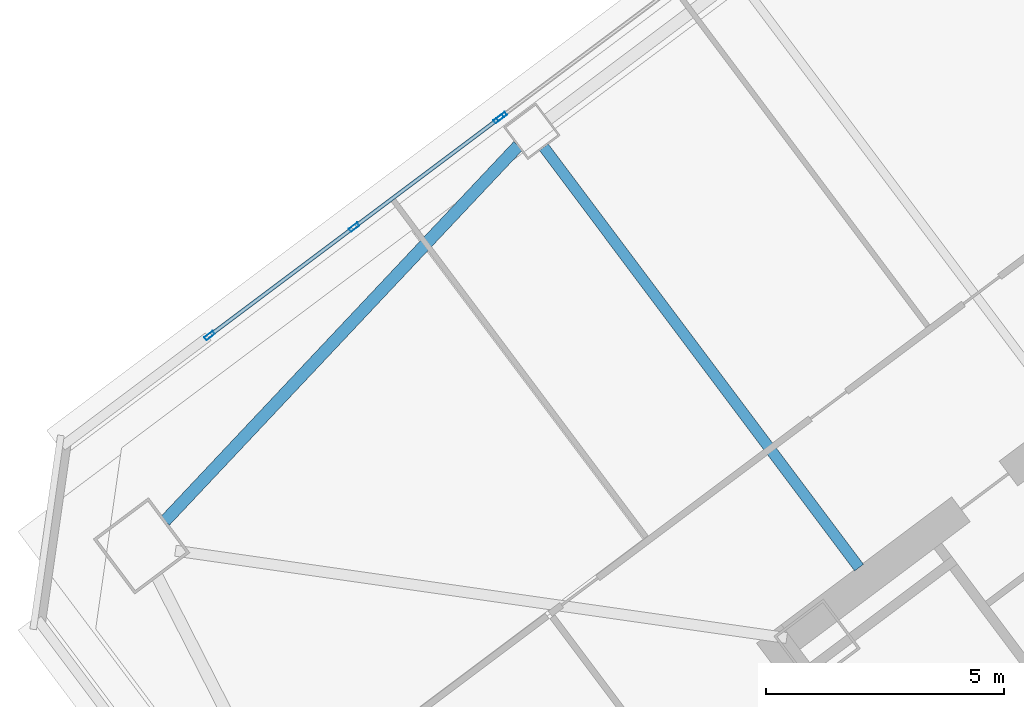
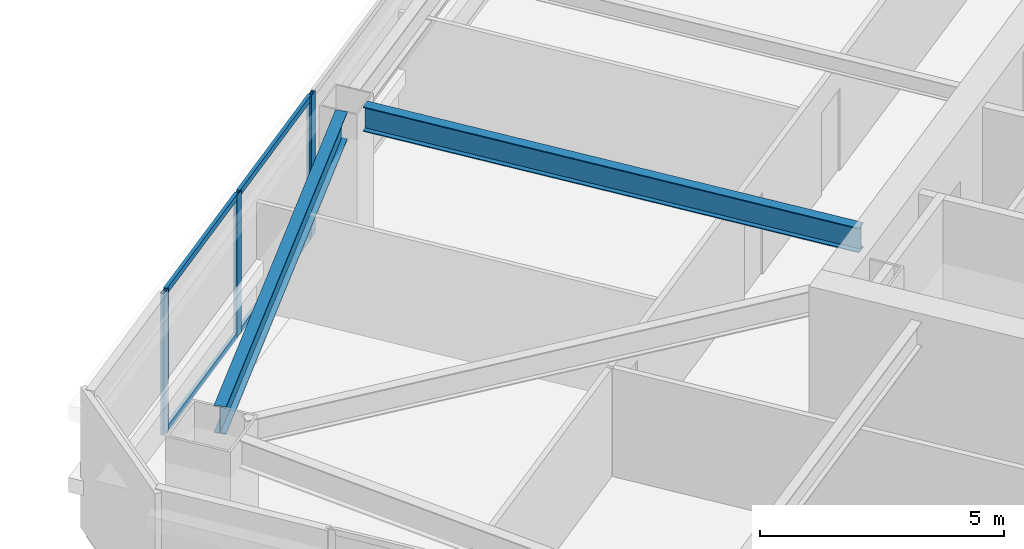
# One storey, part 29 of 49: 8 members, 2 beams, 2 elements without a shape of their own.
"""IFC4 building model written with IfcOpenShell, lengths in metres."""

from ifc_helpers import new_model, si_unit, direction, frame, origin, origin_2d, place, context, subcontext, project, spatial, hollow_rectangle, i_section, extrude, material, material_profile, profile_set, type_object, element, aggregate, save


model = new_model("IFC4")

# Units and contexts
model_context = context("Model", 3, precision=1e-05, world=origin(), true_north=direction((0.0, 1.0)))
body_context = subcontext(model_context, "Body", "Model", "MODEL_VIEW")
ifc_project = project(units=[si_unit("LENGTHUNIT", "METRE"), si_unit("AREAUNIT", "SQUARE_METRE"), si_unit("VOLUMEUNIT", "CUBIC_METRE"), si_unit("PLANEANGLEUNIT", "RADIAN"), si_unit("MASSUNIT", "GRAM", prefix="KILO")], contexts=[model_context])

# Site, building, storey
site_placement = place(None, origin())
site = spatial("IfcSite", under=ifc_project, at=site_placement, CompositionType="ELEMENT")
building_placement = place(site_placement, origin())
building = spatial("IfcBuilding", under=site, at=building_placement, Name="Tashvorn Skyway Center", CompositionType="ELEMENT")
storey_placement = place(building_placement, frame((0.0, 0.0, 70.75)))
storey = spatial("IfcBuildingStorey", under=building, at=storey_placement, Name="L18", CompositionType="ELEMENT", Elevation=70.75)

# Beams
ifc_material_1 = material(Name="Steel ASTM A992 Grade 50", Category="steel")
ifc_material_profile_1 = material_profile(ifc_material_1, i_section(OverallWidth=0.22998046875, OverallDepth=0.616943359375, WebThickness=0.01318359375, FlangeThickness=0.022216796875, at=origin_2d()), Name="W24X94")
ifc_profile_set_1 = profile_set([ifc_material_profile_1], Name="Steel ASTM A992 Grade 50")
beam_type_1 = type_object("IfcBeamType", Name="BM-BEAM-W24X94", PredefinedType="BEAM", material=ifc_profile_set_1)
beam_1_placement = place(storey_placement, frame((98.382080078125, 43.823974609375, 3.04150390625), z_axis=(0.599989394744, -0.800007953832, 0.0), x_axis=(0.800007953832, 0.599989394744, 0.0)))
element("IfcBeam", 1, at=beam_1_placement, inside=storey, type_object=beam_type_1, Name="Tower 2 L18 Primary Floor Girder FC-N2", PredefinedType="BEAM", context=body_context, shape_type="SweptSolid", body=[
    extrude(i_section(OverallWidth=0.22998046875, OverallDepth=0.616943359375, WebThickness=0.01318359375, FlangeThickness=0.022216796875, at=origin_2d()), origin(), (0.0, 0.0, 1.0), 11.050048828125),
])
ifc_material_profile_2 = material_profile(ifc_material_1, i_section(OverallWidth=0.256103515625, OverallDepth=0.693115234375, WebThickness=0.014404296875, FlangeThickness=0.023681640625, at=origin_2d()), Name="W27X114")
ifc_profile_set_2 = profile_set([ifc_material_profile_2], Name="Steel ASTM A992 Grade 50")
beam_type_2 = type_object("IfcBeamType", Name="BM-SPANDREL-W27X114", PredefinedType="SPANDREL", material=ifc_profile_set_2)
beam_2_placement = place(storey_placement, frame((97.842041015625, 43.854248046875, 3.00341796875), z_axis=(-0.685484857238, -0.728086883893, 0.0), x_axis=(0.728086883893, -0.685484857238, 0.0)))
element("IfcBeam", 2, at=beam_2_placement, inside=storey, type_object=beam_type_2, Name="Tower 2 L18 Spandrel Beam 09", PredefinedType="SPANDREL", context=body_context, shape_type="SweptSolid", body=[
    extrude(i_section(OverallWidth=0.256103515625, OverallDepth=0.693115234375, WebThickness=0.014404296875, FlangeThickness=0.023681640625, at=origin_2d()), origin(), (0.0, 0.0, 1.0), 10.8369140625),
])

# Curtain wall, members
ifc_material_2 = material(Name="Thermally broken bronze-anodized aluminium 6063-T6", Category="aluminium")
curtain_wall_type = type_object("IfcCurtainWallType", Name="CW-CW-Z2", PredefinedType="NOTDEFINED", material=ifc_material_2)
curtain_wall_1_placement = place(storey_placement, origin())
curtain_wall_1 = element("IfcCurtainWall", 3, at=curtain_wall_1_placement, inside=storey, type_object=curtain_wall_type, Name="Tower 2 L18 North Unitised Curtain Wall Glazing Group 1", PredefinedType="NOTDEFINED")
ifc_material_profile_3 = material_profile(ifc_material_2, hollow_rectangle(XDim=0.080078125, YDim=0.219970703125, WallThickness=0.0048828125, at=origin_2d()), Name="ALU-MULL-80x220")
ifc_profile_set_3 = profile_set([ifc_material_profile_3], Name="Thermally broken bronze-anodized aluminium 6063-T6")
member_type_1 = type_object("IfcMemberType", Name="CWM-CW-Z2", PredefinedType="MULLION", material=ifc_profile_set_3)
member_1_placement = place(storey_placement, frame((91.35205078125, 39.864013671875, 0.0), z_axis=(0.0, 0.0, 1.0), x_axis=(-0.600000000002, 0.799999999998, 0.0)))
member_1 = element("IfcMember", 4, at=member_1_placement, type_object=member_type_1, Name="CW-Z2 mullion 1", PredefinedType="MULLION", context=body_context, shape_type="SweptSolid", body=[
    extrude(hollow_rectangle(XDim=0.080078125, YDim=0.219970703125, WallThickness=0.0048828125, at=origin_2d()), origin(), (0.0, 0.0, 1.0), 3.550048828125),
])
member_2_placement = place(storey_placement, frame((94.39208984375, 42.14404296875, 0.0), z_axis=(0.0, 0.0, 1.0), x_axis=(-0.600000000002, 0.799999999998, 0.0)))
member_2 = element("IfcMember", 5, at=member_2_placement, type_object=member_type_1, Name="CW-Z2 mullion 2", PredefinedType="MULLION", context=body_context, shape_type="SweptSolid", body=[
    extrude(hollow_rectangle(XDim=0.080078125, YDim=0.219970703125, WallThickness=0.0048828125, at=origin_2d()), origin(), (0.0, 0.0, 1.0), 3.550048828125),
])
member_3_placement = place(storey_placement, frame((97.431884765625, 44.424072265625, 0.0), z_axis=(0.0, 0.0, 1.0), x_axis=(-0.600000000002, 0.799999999998, 0.0)))
member_3 = element("IfcMember", 6, at=member_3_placement, type_object=member_type_1, Name="CW-Z2 mullion 3", PredefinedType="MULLION", context=body_context, shape_type="SweptSolid", body=[
    extrude(hollow_rectangle(XDim=0.080078125, YDim=0.219970703125, WallThickness=0.0048828125, at=origin_2d()), origin(), (0.0, 0.0, 1.0), 3.550048828125),
])

# Curtain wall, member
curtain_wall_2_placement = place(storey_placement, origin())
curtain_wall_2 = element("IfcCurtainWall", 7, at=curtain_wall_2_placement, inside=storey, type_object=curtain_wall_type, Name="Tower 2 L18 North Unitised Curtain Wall Glazing Group 2", PredefinedType="NOTDEFINED")
member_4_placement = place(storey_placement, frame((97.49609375, 44.471923828125, 0.0), z_axis=(0.0, 0.0, 1.0), x_axis=(-0.600000000002, 0.799999999998, 0.0)))
member_4 = element("IfcMember", 8, at=member_4_placement, type_object=member_type_1, Name="CW-Z2 mullion 1", PredefinedType="MULLION", context=body_context, shape_type="SweptSolid", body=[
    extrude(hollow_rectangle(XDim=0.080078125, YDim=0.219970703125, WallThickness=0.0048828125, at=origin_2d()), origin(), (0.0, 0.0, 1.0), 3.550048828125),
])
aggregate(curtain_wall_2, [member_4])

# Member
ifc_material_profile_4 = material_profile(ifc_material_2, hollow_rectangle(XDim=0.080078125, YDim=0.14990234375, WallThickness=0.00439453125, at=origin_2d()), Name="ALU-TRAN-80x150")
ifc_profile_set_4 = profile_set([ifc_material_profile_4], Name="Thermally broken bronze-anodized aluminium 6063-T6")
member_type_2 = type_object("IfcMemberType", Name="CWT-CW-Z2", PredefinedType="USERDEFINED", material=ifc_profile_set_4)
member_5_placement = place(storey_placement, frame((91.384033203125, 39.887939453125, 0.0400390625), z_axis=(0.799984249419, 0.6000210002, 0.0), x_axis=(-0.6000210002, 0.799984249419, 0.0)))
member_5 = element("IfcMember", 9, at=member_5_placement, type_object=member_type_2, Name="CW-Z2 transom 1.1", ObjectType="TRANSOM", PredefinedType="USERDEFINED", context=body_context, shape_type="SweptSolid", body=[
    extrude(hollow_rectangle(XDim=0.080078125, YDim=0.14990234375, WallThickness=0.00439453125, at=origin_2d()), origin(), (0.0, 0.0, 1.0), 3.72021484375),
])

member_6_placement = place(storey_placement, frame((91.384033203125, 39.887939453125, 3.510009765625), z_axis=(0.799984249419, 0.6000210002, 0.0), x_axis=(-0.6000210002, 0.799984249419, 0.0)))
member_6 = element("IfcMember", 10, at=member_6_placement, type_object=member_type_2, Name="CW-Z2 transom 1.2", ObjectType="TRANSOM", PredefinedType="USERDEFINED", context=body_context, shape_type="SweptSolid", body=[
    extrude(hollow_rectangle(XDim=0.080078125, YDim=0.14990234375, WallThickness=0.00439453125, at=origin_2d()), origin(), (0.0, 0.0, 1.0), 3.72021484375),
])

member_7_placement = place(storey_placement, frame((94.424072265625, 42.16796875, 0.0400390625), z_axis=(0.799992124055, 0.600010501117, 0.0), x_axis=(-0.600010501117, 0.799992124055, 0.0)))
member_7 = element("IfcMember", 11, at=member_7_placement, type_object=member_type_2, Name="CW-Z2 transom 2.1", ObjectType="TRANSOM", PredefinedType="USERDEFINED", context=body_context, shape_type="SweptSolid", body=[
    extrude(hollow_rectangle(XDim=0.080078125, YDim=0.14990234375, WallThickness=0.00439453125, at=origin_2d()), origin(), (0.0, 0.0, 1.0), 3.7197265625),
])

member_8_placement = place(storey_placement, frame((94.424072265625, 42.16796875, 3.510009765625), z_axis=(0.799992124055, 0.600010501117, 0.0), x_axis=(-0.600010501117, 0.799992124055, 0.0)))
member_8 = element("IfcMember", 12, at=member_8_placement, type_object=member_type_2, Name="CW-Z2 transom 2.2", ObjectType="TRANSOM", PredefinedType="USERDEFINED", context=body_context, shape_type="SweptSolid", body=[
    extrude(hollow_rectangle(XDim=0.080078125, YDim=0.14990234375, WallThickness=0.00439453125, at=origin_2d()), origin(), (0.0, 0.0, 1.0), 3.7197265625),
])

aggregate(curtain_wall_1, [member_1, member_2, member_3, member_5, member_6, member_7, member_8])

save(model, "model.ifc")
